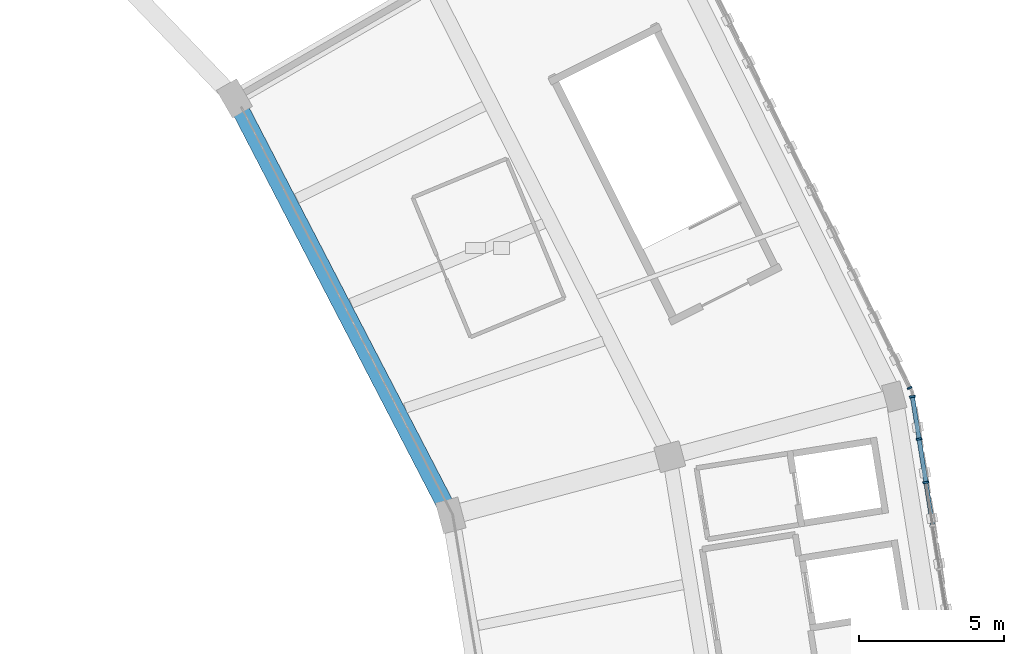
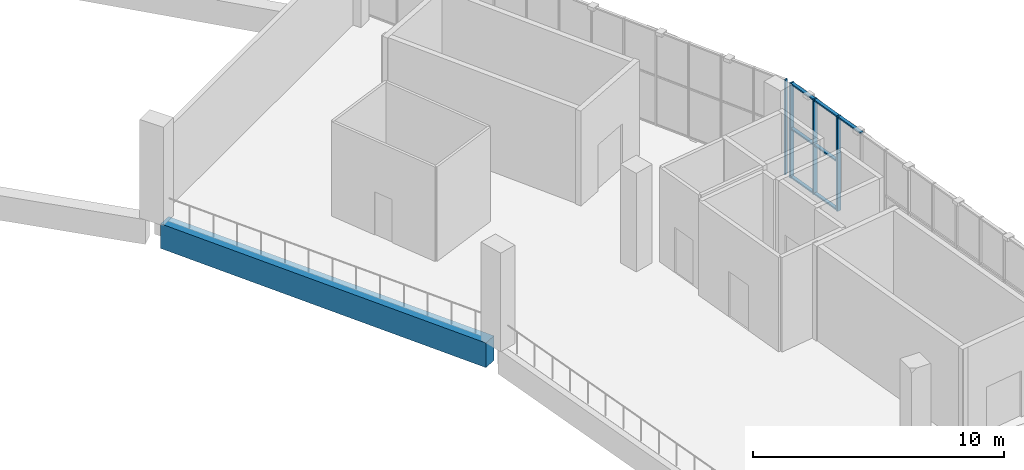
# One storey, part 21 of 64: 11 members, 1 beam, 2 elements without a shape of their own.
"""IFC4 building model written with IfcOpenShell, lengths in metres."""

import ifcopenshell
import ifcopenshell.guid

model = None  # the IFC model being written
_history = None  # IfcOwnerHistory: only IFC2X3 demands one
_inside = {}  # id of a spatial element -> (the spatial element, [elements in it])
_under = {}  # id of a project, library or spatial element -> (it, [spatial elements below it])
_declared = {}  # id of a project -> (the project, [libraries it declares])
_typed = {}  # id of a type object -> (the type object, [elements of that type])
_made_of = {}  # id of a material, layer set ... -> (it, [elements and type objects made of it])


def new_model(schema):
    """Start an empty IFC model of exactly this schema.

    Asked for "IFC4X3", IfcOpenShell would pick the latest addendum, in which some entities
    have other attributes; the version numbers below select the first issue.
    IFC2X3 requires an IfcOwnerHistory on every rooted entity: one is made here for all.
    """
    global model, _history
    if schema == "IFC4X3":
        model = ifcopenshell.file(schema_version=(4, 3, 0, 0))
    else:
        model = ifcopenshell.file(schema=schema)
    _inside.clear()
    _under.clear()
    _declared.clear()
    _typed.clear()
    _made_of.clear()
    _history = None
    if model.schema == "IFC2X3":
        org = make("IfcOrganization", Name="unknown")
        user = make(
            "IfcPersonAndOrganization",
            ThePerson=make("IfcPerson", FamilyName="unknown"),
            TheOrganization=org,
        )
        app = make(
            "IfcApplication",
            ApplicationDeveloper=org,
            Version="unknown",
            ApplicationFullName="unknown",
            ApplicationIdentifier="unknown",
        )
        _history = make(
            "IfcOwnerHistory",
            OwningUser=user,
            OwningApplication=app,
            ChangeAction="ADDED",
            CreationDate=0,
        )
    return model


def make(cls, **values):
    """One entity of the class cls with the attributes given. An attribute that is None is left unset."""
    return model.create_entity(
        cls, **{name: value for name, value in values.items() if value is not None}
    )


def rooted(cls, **values):
    """An entity with a GlobalId (a new one), such as an element, a storey or a relation."""
    return make(cls, GlobalId=ifcopenshell.guid.new(), OwnerHistory=_history, **values)


def si_unit(unit_type, name, prefix=None):
    """IfcSIUnit, for example si_unit("LENGTHUNIT", "METRE", prefix="MILLI")."""
    return make("IfcSIUnit", UnitType=unit_type, Prefix=prefix, Name=name)


def assignment(units):
    """IfcUnitAssignment: the units of a project."""
    return None if units is None else make("IfcUnitAssignment", Units=units)


def point(xyz):
    """IfcCartesianPoint."""
    return None if xyz is None else make("IfcCartesianPoint", Coordinates=xyz)


def direction(xyz):
    """IfcDirection."""
    return None if xyz is None else make("IfcDirection", DirectionRatios=xyz)


def frame(location, z_axis=None, x_axis=None):
    """IfcAxis2Placement3D, a coordinate frame: its origin and axes. An axis left out is left unset."""
    return make(
        "IfcAxis2Placement3D",
        Location=point(location),
        Axis=direction(z_axis),
        RefDirection=direction(x_axis),
    )


def frame_2d(location, x_axis=None):
    """IfcAxis2Placement2D, a coordinate frame in the plane: its origin and x axis."""
    return make(
        "IfcAxis2Placement2D", Location=point(location), RefDirection=direction(x_axis)
    )


def origin():
    """The frame at (0, 0, 0) with its axes left unset."""
    return frame((0.0, 0.0, 0.0))


def origin_2d():
    """The frame at (0, 0) in the plane with its x axis left unset."""
    return frame_2d((0.0, 0.0))


def place(relative_to, where):
    """IfcLocalPlacement: puts the frame where relative to a parent placement (None: the world)."""
    return make(
        "IfcLocalPlacement", PlacementRelTo=relative_to, RelativePlacement=where
    )


def context(
    kind, dimensions, precision=None, world=None, true_north=None, identifier=None
):
    """IfcGeometricRepresentationContext, for example the 3D "Model" context."""
    return make(
        "IfcGeometricRepresentationContext",
        ContextIdentifier=identifier,
        ContextType=kind,
        CoordinateSpaceDimension=dimensions,
        Precision=precision,
        WorldCoordinateSystem=world,
        TrueNorth=true_north,
    )


def subcontext(parent, identifier, kind, view, scale=None):
    """IfcGeometricRepresentationSubContext, for example "Body" below "Model"."""
    return make(
        "IfcGeometricRepresentationSubContext",
        ContextIdentifier=identifier,
        ContextType=kind,
        ParentContext=parent,
        TargetScale=scale,
        TargetView=view,
    )


def project(units=None, contexts=None):
    """IfcProject with its units and contexts."""
    return rooted(
        "IfcProject",
        Name="project",
        RepresentationContexts=contexts,
        UnitsInContext=assignment(units),
    )


def spatial(cls, under=None, at=None, **own):
    """A site, building, storey or space (cls), placed at a placement, below another one or the project."""
    s = rooted(cls, ObjectPlacement=at, **own)
    if under is not None:
        _under.setdefault(under.id(), (under, []))[1].append(s)
    return s


def profile(cls, at=None, kind="AREA", **sizes):
    """A parametric profile (cls). Its sizes go by their IFC names, for example OverallWidth=200.0."""
    return make(cls, ProfileType=kind, Position=at, **sizes)


def rectangle(**sizes):
    """IfcRectangleProfileDef."""
    return profile("IfcRectangleProfileDef", **sizes)


def extrude(swept, where, along, depth):
    """IfcExtrudedAreaSolid: the profile swept, set in the frame where, extruded along a direction by depth."""
    return make(
        "IfcExtrudedAreaSolid",
        SweptArea=swept,
        Position=where,
        ExtrudedDirection=direction(along),
        Depth=depth,
    )


def shape(context_of_items, identifier, shape_type, items):
    """IfcShapeRepresentation: the items that make up one representation, for example the "Body"."""
    return make(
        "IfcShapeRepresentation",
        ContextOfItems=context_of_items,
        RepresentationIdentifier=identifier,
        RepresentationType=shape_type,
        Items=items,
    )


def material(Name=None, Category=None):
    """IfcMaterial."""
    return make("IfcMaterial", Name=Name, Category=Category)


def material_profile(
    of_material, cross_section, Name=None, Category=None, Priority=None
):
    """IfcMaterialProfile: a cross section and its material."""
    return make(
        "IfcMaterialProfile",
        Name=Name,
        Material=of_material,
        Profile=cross_section,
        Priority=Priority,
        Category=Category,
    )


def profile_set(profiles, Name=None, composite=None):
    """IfcMaterialProfileSet."""
    return make(
        "IfcMaterialProfileSet",
        Name=Name,
        MaterialProfiles=profiles,
        CompositeProfile=composite,
    )


def made_of(thing, what):
    """Note that an element or type object is made of a material, layer set ...; save() writes the relation."""
    if what is not None:
        _made_of.setdefault(what.id(), (what, []))[1].append(thing)
    return thing


def type_object(cls, material=None, **own):
    """A type object (cls), such as IfcWallType, which elements share."""
    return made_of(rooted(cls, **own), material)


def element(
    cls,
    number,
    at=None,
    inside=None,
    cuts=None,
    type_object=None,
    material=None,
    context=None,
    identifier="Body",
    shape_type=None,
    held_by="IfcProductDefinitionShape",
    body=None,
    shapes=None,
    **own,
):
    """One element of the class cls, such as IfcWall. Its Tag is "e" and its number.

    at: its placement. inside: the storey or other place that contains it. cuts: it is an
    opening in that element (IfcRelVoidsElement). A single representation is given by context,
    identifier, shape_type and body (its items); several are given by shapes. held_by: the class
    of the entity that holds the representations. save() writes the other relations.
    """
    e = rooted(cls, Tag="e%d" % number, ObjectPlacement=at, **own)
    if body is not None:
        shapes = [shape(context, identifier, shape_type, body)]
    if shapes is not None:
        e.Representation = make(held_by, Representations=shapes)
    if inside is not None:
        _inside.setdefault(inside.id(), (inside, []))[1].append(e)
    if cuts is not None:
        rooted(
            "IfcRelVoidsElement", RelatingBuildingElement=cuts, RelatedOpeningElement=e
        )
    if type_object is not None:
        _typed.setdefault(type_object.id(), (type_object, []))[1].append(e)
    return made_of(e, material)


def aggregate(whole, parts):
    """IfcRelAggregates: a whole, such as a stair, and the parts it consists of."""
    return rooted("IfcRelAggregates", RelatingObject=whole, RelatedObjects=parts)


def save(model, path):
    """Write the relations noted so far, then the file.

    IfcRelAggregates (storeys below a building ...), IfcRelContainedInSpatialStructure (elements
    in a storey), IfcRelDefinesByType, IfcRelAssociatesMaterial and IfcRelDeclares: one each for
    every whole, place, type object, material and project.
    """
    for whole, parts in _under.values():
        aggregate(whole, parts)
    for where, things in _inside.values():
        rooted(
            "IfcRelContainedInSpatialStructure",
            RelatedElements=things,
            RelatingStructure=where,
        )
    for kind, things in _typed.values():
        rooted("IfcRelDefinesByType", RelatedObjects=things, RelatingType=kind)
    for what, things in _made_of.values():
        rooted("IfcRelAssociatesMaterial", RelatedObjects=things, RelatingMaterial=what)
    for by, libraries in _declared.values():
        rooted("IfcRelDeclares", RelatingContext=by, RelatedDefinitions=libraries)
    model.write(path)


model = new_model("IFC4")

# Units and contexts
model_context = context("Model", 3, precision=1e-05, world=origin(), true_north=direction((0.0, 1.0)))
body_context = subcontext(model_context, "Body", "Model", "MODEL_VIEW")
ifc_project = project(units=[si_unit("LENGTHUNIT", "METRE"), si_unit("AREAUNIT", "SQUARE_METRE"), si_unit("VOLUMEUNIT", "CUBIC_METRE"), si_unit("PLANEANGLEUNIT", "RADIAN"), si_unit("MASSUNIT", "GRAM", prefix="KILO")], contexts=[model_context])

# Site, building, storey
site_placement = place(None, origin())
site = spatial("IfcSite", under=ifc_project, at=site_placement, CompositionType="ELEMENT")
building_placement = place(site_placement, origin())
building = spatial("IfcBuilding", under=site, at=building_placement, Name="Zevraka Park Crest Stadium", CompositionType="ELEMENT")
storey_placement = place(building_placement, frame((0.0, 0.0, 24.60009765625)))
storey = spatial("IfcBuildingStorey", under=building, at=storey_placement, Name="L05", CompositionType="ELEMENT", Elevation=24.60009765625)

# Curtain wall, member
ifc_material_1 = material(Name="Anodised architectural aluminium and laminated safety glass", Category="aluminium")
curtain_wall_type_1 = type_object("IfcCurtainWallType", Name="CW22", PredefinedType="NOTDEFINED", material=ifc_material_1)
curtain_wall_1_placement = place(storey_placement, origin())
curtain_wall_1 = element("IfcCurtainWall", 1, at=curtain_wall_1_placement, inside=storey, type_object=curtain_wall_type_1, Name="Unitised Ring Curtain Wall CW22 L05-01", PredefinedType="NOTDEFINED")
ifc_material_2 = material(Name="Anodised architectural aluminium", Category="aluminium")
ifc_material_profile_1 = material_profile(ifc_material_2, rectangle(XDim=0.159912109375, YDim=0.06005859375, at=origin_2d()), Name="ALU MULLION 160x60")
ifc_profile_set_1 = profile_set([ifc_material_profile_1], Name="Anodised architectural aluminium")
member_type_1 = type_object("IfcMemberType", Name="CM01", PredefinedType="MULLION", material=ifc_profile_set_1)
member_1_placement = place(storey_placement, frame((199.751708984375, 111.786865234375, 0.0), z_axis=(0.0, 0.0, 1.0), x_axis=(-0.895879320455, -0.444297471499, 0.0)))
member_1 = element("IfcMember", 2, at=member_1_placement, type_object=member_type_1, Name="CW22 mullion 1", PredefinedType="MULLION", context=body_context, shape_type="SweptSolid", body=[
    extrude(rectangle(XDim=0.159912109375, YDim=0.06005859375, at=origin_2d()), origin(), (0.0, 0.0, 1.0), 4.619873046875),
])
aggregate(curtain_wall_1, [member_1])

# Curtain wall, members
ifc_material_3 = material(Name="Anodised architectural aluminium and laminated safety glass", Category="aluminium")
curtain_wall_type_2 = type_object("IfcCurtainWallType", Name="CW21", PredefinedType="NOTDEFINED", material=ifc_material_3)
curtain_wall_2_placement = place(storey_placement, origin())
curtain_wall_2 = element("IfcCurtainWall", 3, at=curtain_wall_2_placement, inside=storey, type_object=curtain_wall_type_2, Name="Unitised Ring Curtain Wall CW21 L05-00", PredefinedType="NOTDEFINED")
ifc_material_4 = material(Name="Anodised architectural aluminium", Category="aluminium")
ifc_material_profile_2 = material_profile(ifc_material_4, rectangle(XDim=0.199951171875, YDim=0.070068359375, at=origin_2d()), Name="ALU MULLION 200x70")
ifc_profile_set_2 = profile_set([ifc_material_profile_2], Name="Anodised architectural aluminium")
member_type_2 = type_object("IfcMemberType", Name="CM03", PredefinedType="MULLION", material=ifc_profile_set_2)
member_2_placement = place(storey_placement, frame((200.312255859375, 108.535400390625, 0.0), z_axis=(0.0, 0.0, 1.0), x_axis=(-0.987802580924, -0.155711467527, 0.0)))
member_2 = element("IfcMember", 4, at=member_2_placement, type_object=member_type_2, Name="CW21 mullion 12", PredefinedType="MULLION", context=body_context, shape_type="SweptSolid", body=[
    extrude(rectangle(XDim=0.199951171875, YDim=0.070068359375, at=origin_2d()), origin(), (0.0, 0.0, 1.0), 4.619873046875),
])
member_3_placement = place(storey_placement, frame((200.0771484375, 110.02734375, 0.0), z_axis=(0.0, 0.0, 1.0), x_axis=(-0.987802580924, -0.155711467527, 0.0)))
member_3 = element("IfcMember", 5, at=member_3_placement, type_object=member_type_2, Name="CW21 mullion 13", PredefinedType="MULLION", context=body_context, shape_type="SweptSolid", body=[
    extrude(rectangle(XDim=0.199951171875, YDim=0.070068359375, at=origin_2d()), origin(), (0.0, 0.0, 1.0), 4.619873046875),
])
member_4_placement = place(storey_placement, frame((199.847412109375, 111.484375, 0.0), z_axis=(0.0, 0.0, 1.0), x_axis=(-0.987802580924, -0.155711467527, 0.0)))
member_4 = element("IfcMember", 6, at=member_4_placement, type_object=member_type_2, Name="CW21 mullion 14", PredefinedType="MULLION", context=body_context, shape_type="SweptSolid", body=[
    extrude(rectangle(XDim=0.199951171875, YDim=0.070068359375, at=origin_2d()), origin(), (0.0, 0.0, 1.0), 4.619873046875),
])
ifc_material_5 = material(Name="Anodised architectural aluminium", Category="aluminium")
ifc_material_profile_3 = material_profile(ifc_material_5, rectangle(XDim=0.14990234375, YDim=0.070068359375, at=origin_2d()), Name="ALU TRANSOM 150x70")
ifc_profile_set_3 = profile_set([ifc_material_profile_3], Name="Anodised architectural aluminium")
member_type_3 = type_object("IfcMemberType", Name="CT03", PredefinedType="USERDEFINED", material=ifc_profile_set_3)
member_5_placement = place(storey_placement, frame((200.5419921875, 107.078369140625, 4.5849609375), z_axis=(-0.155623058031, 0.98781651323, 0.0), x_axis=(-0.98781651323, -0.155623058031, 0.0)))
member_5 = element("IfcMember", 7, at=member_5_placement, type_object=member_type_3, Name="CW21 transom 11.3", ObjectType="TRANSOM", PredefinedType="USERDEFINED", context=body_context, shape_type="SweptSolid", body=[
    extrude(rectangle(XDim=0.14990234375, YDim=0.070068359375, at=origin_2d()), origin(), (0.0, 0.0, 1.0), 1.440185546875),
])
member_6_placement = place(storey_placement, frame((200.306884765625, 108.570068359375, 0.034912109375), z_axis=(-0.155788469887, 0.987790439643, 0.0), x_axis=(-0.987790439643, -0.155788469887, 0.0)))
member_6 = element("IfcMember", 8, at=member_6_placement, type_object=member_type_3, Name="CW21 transom 12.1", ObjectType="TRANSOM", PredefinedType="USERDEFINED", context=body_context, shape_type="SweptSolid", body=[
    extrude(rectangle(XDim=0.14990234375, YDim=0.070068359375, at=origin_2d()), origin(), (0.0, 0.0, 1.0), 1.440185546875),
])
member_7_placement = place(storey_placement, frame((200.306884765625, 108.570068359375, 2.39990234375), z_axis=(-0.155788469887, 0.987790439643, 0.0), x_axis=(-0.987790439643, -0.155788469887, 0.0)))
member_7 = element("IfcMember", 9, at=member_7_placement, type_object=member_type_3, Name="CW21 transom 12.2", ObjectType="TRANSOM", PredefinedType="USERDEFINED", context=body_context, shape_type="SweptSolid", body=[
    extrude(rectangle(XDim=0.14990234375, YDim=0.070068359375, at=origin_2d()), origin(), (0.0, 0.0, 1.0), 1.440185546875),
])
member_8_placement = place(storey_placement, frame((200.306884765625, 108.570068359375, 4.5849609375), z_axis=(-0.155788469887, 0.987790439643, 0.0), x_axis=(-0.987790439643, -0.155788469887, 0.0)))
member_8 = element("IfcMember", 10, at=member_8_placement, type_object=member_type_3, Name="CW21 transom 12.3", ObjectType="TRANSOM", PredefinedType="USERDEFINED", context=body_context, shape_type="SweptSolid", body=[
    extrude(rectangle(XDim=0.14990234375, YDim=0.070068359375, at=origin_2d()), origin(), (0.0, 0.0, 1.0), 1.440185546875),
])
member_9_placement = place(storey_placement, frame((200.07177734375, 110.061767578125, 0.034912109375), z_axis=(-0.155828759043, 0.987784084634, 0.0), x_axis=(-0.987784084634, -0.155828759043, 0.0)))
member_9 = element("IfcMember", 11, at=member_9_placement, type_object=member_type_3, Name="CW21 transom 13.1", ObjectType="TRANSOM", PredefinedType="USERDEFINED", context=body_context, shape_type="SweptSolid", body=[
    extrude(rectangle(XDim=0.14990234375, YDim=0.070068359375, at=origin_2d()), origin(), (0.0, 0.0, 1.0), 1.4052734375),
])
member_10_placement = place(storey_placement, frame((200.07177734375, 110.061767578125, 2.39990234375), z_axis=(-0.155828759043, 0.987784084634, 0.0), x_axis=(-0.987784084634, -0.155828759043, 0.0)))
member_10 = element("IfcMember", 12, at=member_10_placement, type_object=member_type_3, Name="CW21 transom 13.2", ObjectType="TRANSOM", PredefinedType="USERDEFINED", context=body_context, shape_type="SweptSolid", body=[
    extrude(rectangle(XDim=0.14990234375, YDim=0.070068359375, at=origin_2d()), origin(), (0.0, 0.0, 1.0), 1.4052734375),
])
member_11_placement = place(storey_placement, frame((200.07177734375, 110.061767578125, 4.5849609375), z_axis=(-0.155828759043, 0.987784084634, 0.0), x_axis=(-0.987784084634, -0.155828759043, 0.0)))
member_11 = element("IfcMember", 13, at=member_11_placement, type_object=member_type_3, Name="CW21 transom 13.3", ObjectType="TRANSOM", PredefinedType="USERDEFINED", context=body_context, shape_type="SweptSolid", body=[
    extrude(rectangle(XDim=0.14990234375, YDim=0.070068359375, at=origin_2d()), origin(), (0.0, 0.0, 1.0), 1.4052734375),
])
aggregate(curtain_wall_2, [member_2, member_3, member_4, member_5, member_6, member_7, member_8, member_9, member_10, member_11])

# Beam
ifc_material_6 = material(Name="Concrete C40/50", Category="concrete")
ifc_material_profile_4 = material_profile(ifc_material_6, rectangle(XDim=0.60009765625, YDim=1.199951171875, at=origin_2d()), Name="RC 1200x600")
ifc_profile_set_4 = profile_set([ifc_material_profile_4], Name="Concrete C40/50")
beam_type = type_object("IfcBeamType", Name="RB01", PredefinedType="BEAM", material=ifc_profile_set_4)
beam_placement = place(storey_placement, frame((183.785888671875, 107.737060546875, -0.610107421875), z_axis=(-0.460343993973, 0.887740619333, 0.0), x_axis=(-0.887740619333, -0.460343993973, 0.0)))
element("IfcBeam", 14, at=beam_placement, inside=storey, type_object=beam_type, Name="Ring Beam RB01 L05-B-01", PredefinedType="BEAM", context=body_context, shape_type="SweptSolid", body=[
    extrude(rectangle(XDim=0.60009765625, YDim=1.199951171875, at=origin_2d()), origin(), (0.0, 0.0, 1.0), 15.405517578125),
])

save(model, "model.ifc")
